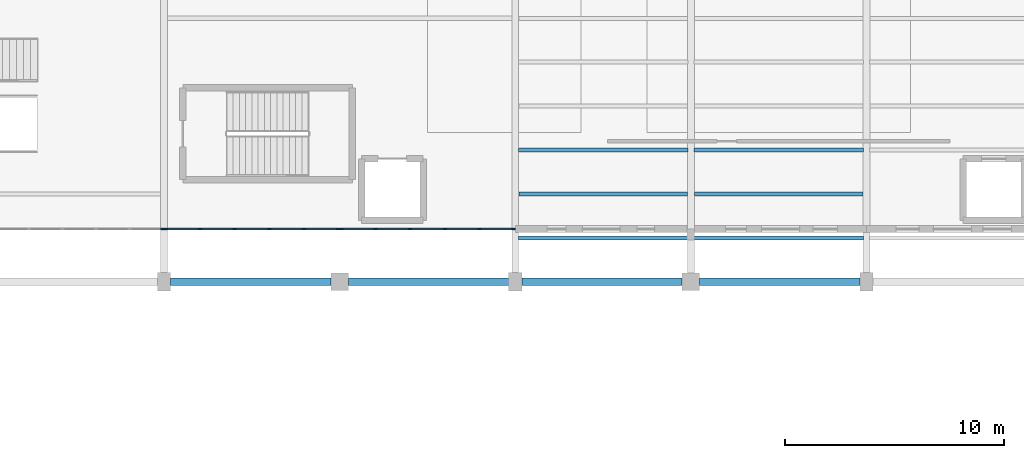
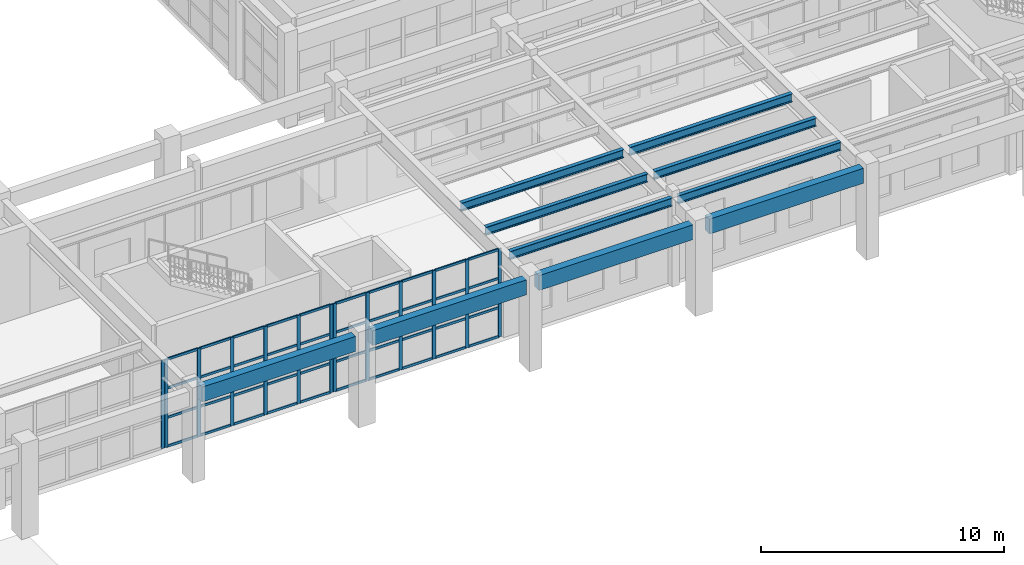
# One storey, part 12 of 59: 53 members, 10 beams, 3 elements without a shape of their own.
"""IFC4 building model written with IfcOpenShell, lengths in metres."""

from ifc_helpers import new_model, si_unit, direction, frame, origin, origin_2d, place, context, subcontext, project, spatial, rectangle, i_section, extrude, material, material_profile, profile_set, type_object, element, aggregate, save


model = new_model("IFC4")

# Units and contexts
model_context = context("Model", 3, precision=1e-05, world=origin(), true_north=direction((0.0, 1.0)))
body_context = subcontext(model_context, "Body", "Model", "MODEL_VIEW")
ifc_project = project(units=[si_unit("LENGTHUNIT", "METRE"), si_unit("AREAUNIT", "SQUARE_METRE"), si_unit("VOLUMEUNIT", "CUBIC_METRE"), si_unit("PLANEANGLEUNIT", "RADIAN"), si_unit("MASSUNIT", "GRAM", prefix="KILO")], contexts=[model_context])

# Site, building, storey
site_placement = place(None, origin())
site = spatial("IfcSite", under=ifc_project, at=site_placement, CompositionType="ELEMENT")
building_placement = place(site_placement, origin())
building = spatial("IfcBuilding", under=site, at=building_placement, Name="Serraluz Foothill Cableway Terminal", CompositionType="ELEMENT")
storey_placement = place(building_placement, frame((0.0, 0.0, 4.800048828125)))
storey = spatial("IfcBuildingStorey", under=building, at=storey_placement, Name="L01", CompositionType="ELEMENT", Elevation=4.800048828125)

# Curtain wall, member
ifc_material_1 = material(Name="Architectural bronze alloy C28000", Category="aluminium")
curtain_wall_type_1 = type_object("IfcCurtainWallType", Name="TYP-CW-740X440", PredefinedType="NOTDEFINED", material=ifc_material_1)
curtain_wall_1_placement = place(storey_placement, origin())
curtain_wall_1 = element("IfcCurtainWall", 1, at=curtain_wall_1_placement, inside=storey, type_object=curtain_wall_type_1, Name="Ribbed Glazed Curtain Wall CW-V1S-L01-56", PredefinedType="NOTDEFINED")
ifc_material_profile_1 = material_profile(ifc_material_1, rectangle(XDim=0.06005859375, YDim=0.159912109375, at=origin_2d()), Name="ALU MULLION 60x160")
ifc_profile_set_1 = profile_set([ifc_material_profile_1], Name="Architectural bronze alloy C28000")
member_type_1 = type_object("IfcMemberType", Name="TYP-CW-MUL-60X160", PredefinedType="MULLION", material=ifc_profile_set_1)
member_1_placement = place(storey_placement, frame((63.91796875, 58.39990234375, 0.0), z_axis=(0.0, 0.0, 1.0), x_axis=(0.0, -1.0, 0.0)))
member_1 = element("IfcMember", 2, at=member_1_placement, type_object=member_type_1, Name="CW-06 mullion 1", PredefinedType="MULLION", context=body_context, shape_type="SweptSolid", body=[
    extrude(rectangle(XDim=0.06005859375, YDim=0.159912109375, at=origin_2d()), origin(), (0.0, 0.0, 1.0), 4.419921875),
])
aggregate(curtain_wall_1, [member_1])

# Curtain wall, members
curtain_wall_type_2 = type_object("IfcCurtainWallType", Name="TYP-CW-740X490", PredefinedType="NOTDEFINED", material=ifc_material_1)
curtain_wall_2_placement = place(storey_placement, origin())
curtain_wall_2 = element("IfcCurtainWall", 3, at=curtain_wall_2_placement, inside=storey, type_object=curtain_wall_type_2, Name="Ribbed Glazed Curtain Wall CW-V1S-L01-64", PredefinedType="NOTDEFINED")
member_2_placement = place(storey_placement, frame((71.91796875, 58.39990234375, 0.0), z_axis=(0.0, 0.0, 1.0), x_axis=(0.0, -1.0, 0.0)))
member_2 = element("IfcMember", 4, at=member_2_placement, type_object=member_type_1, Name="CW-07 mullion 1", PredefinedType="MULLION", context=body_context, shape_type="SweptSolid", body=[
    extrude(rectangle(XDim=0.06005859375, YDim=0.159912109375, at=origin_2d()), origin(), (0.0, 0.0, 1.0), 4.419921875),
])
member_3_placement = place(storey_placement, frame((70.368896484375, 58.39990234375, 0.0), z_axis=(0.0, 0.0, 1.0), x_axis=(0.0, -1.0, 0.0)))
member_3 = element("IfcMember", 5, at=member_3_placement, type_object=member_type_1, Name="CW-07 mullion 2", PredefinedType="MULLION", context=body_context, shape_type="SweptSolid", body=[
    extrude(rectangle(XDim=0.06005859375, YDim=0.159912109375, at=origin_2d()), origin(), (0.0, 0.0, 1.0), 4.419921875),
])
member_4_placement = place(storey_placement, frame((68.78955078125, 58.39990234375, 0.0), z_axis=(0.0, 0.0, 1.0), x_axis=(0.0, -1.0, 0.0)))
member_4 = element("IfcMember", 6, at=member_4_placement, type_object=member_type_1, Name="CW-07 mullion 3", PredefinedType="MULLION", context=body_context, shape_type="SweptSolid", body=[
    extrude(rectangle(XDim=0.06005859375, YDim=0.159912109375, at=origin_2d()), origin(), (0.0, 0.0, 1.0), 4.419921875),
])
member_5_placement = place(storey_placement, frame((67.21044921875, 58.39990234375, 0.0), z_axis=(0.0, 0.0, 1.0), x_axis=(0.0, -1.0, 0.0)))
member_5 = element("IfcMember", 7, at=member_5_placement, type_object=member_type_1, Name="CW-07 mullion 4", PredefinedType="MULLION", context=body_context, shape_type="SweptSolid", body=[
    extrude(rectangle(XDim=0.06005859375, YDim=0.159912109375, at=origin_2d()), origin(), (0.0, 0.0, 1.0), 4.419921875),
])
member_6_placement = place(storey_placement, frame((65.631103515625, 58.39990234375, 0.0), z_axis=(0.0, 0.0, 1.0), x_axis=(0.0, -1.0, 0.0)))
member_6 = element("IfcMember", 8, at=member_6_placement, type_object=member_type_1, Name="CW-07 mullion 5", PredefinedType="MULLION", context=body_context, shape_type="SweptSolid", body=[
    extrude(rectangle(XDim=0.06005859375, YDim=0.159912109375, at=origin_2d()), origin(), (0.0, 0.0, 1.0), 4.419921875),
])
member_7_placement = place(storey_placement, frame((64.08203125, 58.39990234375, 0.0), z_axis=(0.0, 0.0, 1.0), x_axis=(0.0, -1.0, 0.0)))
member_7 = element("IfcMember", 9, at=member_7_placement, type_object=member_type_1, Name="CW-07 mullion 6", PredefinedType="MULLION", context=body_context, shape_type="SweptSolid", body=[
    extrude(rectangle(XDim=0.06005859375, YDim=0.159912109375, at=origin_2d()), origin(), (0.0, 0.0, 1.0), 4.419921875),
])

curtain_wall_type_3 = type_object("IfcCurtainWallType", Name="TYP-CW-520X440", PredefinedType="NOTDEFINED", material=ifc_material_1)
curtain_wall_3_placement = place(storey_placement, origin())
curtain_wall_3 = element("IfcCurtainWall", 10, at=curtain_wall_3_placement, inside=storey, type_object=curtain_wall_type_3, Name="Ribbed Glazed Curtain Wall CW-V1S-L01-72", PredefinedType="NOTDEFINED")
member_8_placement = place(storey_placement, frame((79.91796875, 58.39990234375, 0.0), z_axis=(0.0, 0.0, 1.0), x_axis=(0.0, -1.0, 0.0)))
member_8 = element("IfcMember", 11, at=member_8_placement, type_object=member_type_1, Name="CW-08 mullion 1", PredefinedType="MULLION", context=body_context, shape_type="SweptSolid", body=[
    extrude(rectangle(XDim=0.06005859375, YDim=0.159912109375, at=origin_2d()), origin(), (0.0, 0.0, 1.0), 4.419921875),
])
member_9_placement = place(storey_placement, frame((78.368896484375, 58.39990234375, 0.0), z_axis=(0.0, 0.0, 1.0), x_axis=(0.0, -1.0, 0.0)))
member_9 = element("IfcMember", 12, at=member_9_placement, type_object=member_type_1, Name="CW-08 mullion 2", PredefinedType="MULLION", context=body_context, shape_type="SweptSolid", body=[
    extrude(rectangle(XDim=0.06005859375, YDim=0.159912109375, at=origin_2d()), origin(), (0.0, 0.0, 1.0), 4.419921875),
])
member_10_placement = place(storey_placement, frame((76.78955078125, 58.39990234375, 0.0), z_axis=(0.0, 0.0, 1.0), x_axis=(0.0, -1.0, 0.0)))
member_10 = element("IfcMember", 13, at=member_10_placement, type_object=member_type_1, Name="CW-08 mullion 3", PredefinedType="MULLION", context=body_context, shape_type="SweptSolid", body=[
    extrude(rectangle(XDim=0.06005859375, YDim=0.159912109375, at=origin_2d()), origin(), (0.0, 0.0, 1.0), 4.419921875),
])
member_11_placement = place(storey_placement, frame((75.21044921875, 58.39990234375, 0.0), z_axis=(0.0, 0.0, 1.0), x_axis=(0.0, -1.0, 0.0)))
member_11 = element("IfcMember", 14, at=member_11_placement, type_object=member_type_1, Name="CW-08 mullion 4", PredefinedType="MULLION", context=body_context, shape_type="SweptSolid", body=[
    extrude(rectangle(XDim=0.06005859375, YDim=0.159912109375, at=origin_2d()), origin(), (0.0, 0.0, 1.0), 4.419921875),
])
member_12_placement = place(storey_placement, frame((73.631103515625, 58.39990234375, 0.0), z_axis=(0.0, 0.0, 1.0), x_axis=(0.0, -1.0, 0.0)))
member_12 = element("IfcMember", 15, at=member_12_placement, type_object=member_type_1, Name="CW-08 mullion 5", PredefinedType="MULLION", context=body_context, shape_type="SweptSolid", body=[
    extrude(rectangle(XDim=0.06005859375, YDim=0.159912109375, at=origin_2d()), origin(), (0.0, 0.0, 1.0), 4.419921875),
])
member_13_placement = place(storey_placement, frame((72.08203125, 58.39990234375, 0.0), z_axis=(0.0, 0.0, 1.0), x_axis=(0.0, -1.0, 0.0)))
member_13 = element("IfcMember", 16, at=member_13_placement, type_object=member_type_1, Name="CW-08 mullion 6", PredefinedType="MULLION", context=body_context, shape_type="SweptSolid", body=[
    extrude(rectangle(XDim=0.06005859375, YDim=0.159912109375, at=origin_2d()), origin(), (0.0, 0.0, 1.0), 4.419921875),
])

# Member
ifc_material_profile_2 = material_profile(ifc_material_1, rectangle(XDim=0.06005859375, YDim=0.1201171875, at=origin_2d()), Name="ALU TRANSOM 60x120")
ifc_profile_set_2 = profile_set([ifc_material_profile_2], Name="Architectural bronze alloy C28000")
member_type_2 = type_object("IfcMemberType", Name="TYP-CW-TRN-60X120", PredefinedType="USERDEFINED", material=ifc_profile_set_2)
member_14_placement = place(storey_placement, frame((71.887939453125, 58.39990234375, 0.030029296875), z_axis=(-1.0, 0.0, 0.0), x_axis=(0.0, -1.0, 0.0)))
member_14 = element("IfcMember", 17, at=member_14_placement, type_object=member_type_2, Name="CW-07 transom 1.1", ObjectType="TRANSOM", PredefinedType="USERDEFINED", context=body_context, shape_type="SweptSolid", body=[
    extrude(rectangle(XDim=0.06005859375, YDim=0.1201171875, at=origin_2d()), origin(), (0.0, 0.0, 1.0), 1.4892578125),
])

member_15_placement = place(storey_placement, frame((71.887939453125, 58.39990234375, 1.47314453125), z_axis=(-1.0, 0.0, 0.0), x_axis=(0.0, -1.0, 0.0)))
member_15 = element("IfcMember", 18, at=member_15_placement, type_object=member_type_2, Name="CW-07 transom 1.2", ObjectType="TRANSOM", PredefinedType="USERDEFINED", context=body_context, shape_type="SweptSolid", body=[
    extrude(rectangle(XDim=0.06005859375, YDim=0.1201171875, at=origin_2d()), origin(), (0.0, 0.0, 1.0), 1.4892578125),
])

member_16_placement = place(storey_placement, frame((71.887939453125, 58.39990234375, 2.946533203125), z_axis=(-1.0, 0.0, 0.0), x_axis=(0.0, -1.0, 0.0)))
member_16 = element("IfcMember", 19, at=member_16_placement, type_object=member_type_2, Name="CW-07 transom 1.3", ObjectType="TRANSOM", PredefinedType="USERDEFINED", context=body_context, shape_type="SweptSolid", body=[
    extrude(rectangle(XDim=0.06005859375, YDim=0.1201171875, at=origin_2d()), origin(), (0.0, 0.0, 1.0), 1.4892578125),
])

member_17_placement = place(storey_placement, frame((71.887939453125, 58.39990234375, 4.389892578125), z_axis=(-1.0, 0.0, 0.0), x_axis=(0.0, -1.0, 0.0)))
member_17 = element("IfcMember", 20, at=member_17_placement, type_object=member_type_2, Name="CW-07 transom 1.4", ObjectType="TRANSOM", PredefinedType="USERDEFINED", context=body_context, shape_type="SweptSolid", body=[
    extrude(rectangle(XDim=0.06005859375, YDim=0.1201171875, at=origin_2d()), origin(), (0.0, 0.0, 1.0), 1.4892578125),
])

member_18_placement = place(storey_placement, frame((70.3388671875, 58.39990234375, 0.030029296875), z_axis=(-1.0, 0.0, 0.0), x_axis=(0.0, -1.0, 0.0)))
member_18 = element("IfcMember", 21, at=member_18_placement, type_object=member_type_2, Name="CW-07 transom 2.1", ObjectType="TRANSOM", PredefinedType="USERDEFINED", context=body_context, shape_type="SweptSolid", body=[
    extrude(rectangle(XDim=0.06005859375, YDim=0.1201171875, at=origin_2d()), origin(), (0.0, 0.0, 1.0), 1.519287109375),
])

member_19_placement = place(storey_placement, frame((70.3388671875, 58.39990234375, 1.47314453125), z_axis=(-1.0, 0.0, 0.0), x_axis=(0.0, -1.0, 0.0)))
member_19 = element("IfcMember", 22, at=member_19_placement, type_object=member_type_2, Name="CW-07 transom 2.2", ObjectType="TRANSOM", PredefinedType="USERDEFINED", context=body_context, shape_type="SweptSolid", body=[
    extrude(rectangle(XDim=0.06005859375, YDim=0.1201171875, at=origin_2d()), origin(), (0.0, 0.0, 1.0), 1.519287109375),
])

member_20_placement = place(storey_placement, frame((70.3388671875, 58.39990234375, 2.946533203125), z_axis=(-1.0, 0.0, 0.0), x_axis=(0.0, -1.0, 0.0)))
member_20 = element("IfcMember", 23, at=member_20_placement, type_object=member_type_2, Name="CW-07 transom 2.3", ObjectType="TRANSOM", PredefinedType="USERDEFINED", context=body_context, shape_type="SweptSolid", body=[
    extrude(rectangle(XDim=0.06005859375, YDim=0.1201171875, at=origin_2d()), origin(), (0.0, 0.0, 1.0), 1.519287109375),
])

member_21_placement = place(storey_placement, frame((70.3388671875, 58.39990234375, 4.389892578125), z_axis=(-1.0, 0.0, 0.0), x_axis=(0.0, -1.0, 0.0)))
member_21 = element("IfcMember", 24, at=member_21_placement, type_object=member_type_2, Name="CW-07 transom 2.4", ObjectType="TRANSOM", PredefinedType="USERDEFINED", context=body_context, shape_type="SweptSolid", body=[
    extrude(rectangle(XDim=0.06005859375, YDim=0.1201171875, at=origin_2d()), origin(), (0.0, 0.0, 1.0), 1.519287109375),
])

member_22_placement = place(storey_placement, frame((68.759521484375, 58.39990234375, 0.030029296875), z_axis=(-1.0, 0.0, 0.0), x_axis=(0.0, -1.0, 0.0)))
member_22 = element("IfcMember", 25, at=member_22_placement, type_object=member_type_2, Name="CW-07 transom 3.1", ObjectType="TRANSOM", PredefinedType="USERDEFINED", context=body_context, shape_type="SweptSolid", body=[
    extrude(rectangle(XDim=0.06005859375, YDim=0.1201171875, at=origin_2d()), origin(), (0.0, 0.0, 1.0), 1.51904296875),
])

member_23_placement = place(storey_placement, frame((68.759521484375, 58.39990234375, 1.47314453125), z_axis=(-1.0, 0.0, 0.0), x_axis=(0.0, -1.0, 0.0)))
member_23 = element("IfcMember", 26, at=member_23_placement, type_object=member_type_2, Name="CW-07 transom 3.2", ObjectType="TRANSOM", PredefinedType="USERDEFINED", context=body_context, shape_type="SweptSolid", body=[
    extrude(rectangle(XDim=0.06005859375, YDim=0.1201171875, at=origin_2d()), origin(), (0.0, 0.0, 1.0), 1.51904296875),
])

member_24_placement = place(storey_placement, frame((68.759521484375, 58.39990234375, 2.946533203125), z_axis=(-1.0, 0.0, 0.0), x_axis=(0.0, -1.0, 0.0)))
member_24 = element("IfcMember", 27, at=member_24_placement, type_object=member_type_2, Name="CW-07 transom 3.3", ObjectType="TRANSOM", PredefinedType="USERDEFINED", context=body_context, shape_type="SweptSolid", body=[
    extrude(rectangle(XDim=0.06005859375, YDim=0.1201171875, at=origin_2d()), origin(), (0.0, 0.0, 1.0), 1.51904296875),
])

member_25_placement = place(storey_placement, frame((68.759521484375, 58.39990234375, 4.389892578125), z_axis=(-1.0, 0.0, 0.0), x_axis=(0.0, -1.0, 0.0)))
member_25 = element("IfcMember", 28, at=member_25_placement, type_object=member_type_2, Name="CW-07 transom 3.4", ObjectType="TRANSOM", PredefinedType="USERDEFINED", context=body_context, shape_type="SweptSolid", body=[
    extrude(rectangle(XDim=0.06005859375, YDim=0.1201171875, at=origin_2d()), origin(), (0.0, 0.0, 1.0), 1.51904296875),
])

member_26_placement = place(storey_placement, frame((67.180419921875, 58.39990234375, 0.030029296875), z_axis=(-1.0, 0.0, 0.0), x_axis=(0.0, -1.0, 0.0)))
member_26 = element("IfcMember", 29, at=member_26_placement, type_object=member_type_2, Name="CW-07 transom 4.1", ObjectType="TRANSOM", PredefinedType="USERDEFINED", context=body_context, shape_type="SweptSolid", body=[
    extrude(rectangle(XDim=0.06005859375, YDim=0.1201171875, at=origin_2d()), origin(), (0.0, 0.0, 1.0), 1.519287109375),
])

member_27_placement = place(storey_placement, frame((67.180419921875, 58.39990234375, 1.47314453125), z_axis=(-1.0, 0.0, 0.0), x_axis=(0.0, -1.0, 0.0)))
member_27 = element("IfcMember", 30, at=member_27_placement, type_object=member_type_2, Name="CW-07 transom 4.2", ObjectType="TRANSOM", PredefinedType="USERDEFINED", context=body_context, shape_type="SweptSolid", body=[
    extrude(rectangle(XDim=0.06005859375, YDim=0.1201171875, at=origin_2d()), origin(), (0.0, 0.0, 1.0), 1.519287109375),
])

member_28_placement = place(storey_placement, frame((67.180419921875, 58.39990234375, 2.946533203125), z_axis=(-1.0, 0.0, 0.0), x_axis=(0.0, -1.0, 0.0)))
member_28 = element("IfcMember", 31, at=member_28_placement, type_object=member_type_2, Name="CW-07 transom 4.3", ObjectType="TRANSOM", PredefinedType="USERDEFINED", context=body_context, shape_type="SweptSolid", body=[
    extrude(rectangle(XDim=0.06005859375, YDim=0.1201171875, at=origin_2d()), origin(), (0.0, 0.0, 1.0), 1.519287109375),
])

member_29_placement = place(storey_placement, frame((67.180419921875, 58.39990234375, 4.389892578125), z_axis=(-1.0, 0.0, 0.0), x_axis=(0.0, -1.0, 0.0)))
member_29 = element("IfcMember", 32, at=member_29_placement, type_object=member_type_2, Name="CW-07 transom 4.4", ObjectType="TRANSOM", PredefinedType="USERDEFINED", context=body_context, shape_type="SweptSolid", body=[
    extrude(rectangle(XDim=0.06005859375, YDim=0.1201171875, at=origin_2d()), origin(), (0.0, 0.0, 1.0), 1.519287109375),
])

member_30_placement = place(storey_placement, frame((65.601318359375, 58.39990234375, 0.030029296875), z_axis=(-1.0, 0.0, 0.0), x_axis=(0.0, -1.0, 0.0)))
member_30 = element("IfcMember", 33, at=member_30_placement, type_object=member_type_2, Name="CW-07 transom 5.1", ObjectType="TRANSOM", PredefinedType="USERDEFINED", context=body_context, shape_type="SweptSolid", body=[
    extrude(rectangle(XDim=0.06005859375, YDim=0.1201171875, at=origin_2d()), origin(), (0.0, 0.0, 1.0), 1.4892578125),
])

member_31_placement = place(storey_placement, frame((65.601318359375, 58.39990234375, 1.47314453125), z_axis=(-1.0, 0.0, 0.0), x_axis=(0.0, -1.0, 0.0)))
member_31 = element("IfcMember", 34, at=member_31_placement, type_object=member_type_2, Name="CW-07 transom 5.2", ObjectType="TRANSOM", PredefinedType="USERDEFINED", context=body_context, shape_type="SweptSolid", body=[
    extrude(rectangle(XDim=0.06005859375, YDim=0.1201171875, at=origin_2d()), origin(), (0.0, 0.0, 1.0), 1.4892578125),
])

member_32_placement = place(storey_placement, frame((65.601318359375, 58.39990234375, 2.946533203125), z_axis=(-1.0, 0.0, 0.0), x_axis=(0.0, -1.0, 0.0)))
member_32 = element("IfcMember", 35, at=member_32_placement, type_object=member_type_2, Name="CW-07 transom 5.3", ObjectType="TRANSOM", PredefinedType="USERDEFINED", context=body_context, shape_type="SweptSolid", body=[
    extrude(rectangle(XDim=0.06005859375, YDim=0.1201171875, at=origin_2d()), origin(), (0.0, 0.0, 1.0), 1.4892578125),
])

member_33_placement = place(storey_placement, frame((65.601318359375, 58.39990234375, 4.389892578125), z_axis=(-1.0, 0.0, 0.0), x_axis=(0.0, -1.0, 0.0)))
member_33 = element("IfcMember", 36, at=member_33_placement, type_object=member_type_2, Name="CW-07 transom 5.4", ObjectType="TRANSOM", PredefinedType="USERDEFINED", context=body_context, shape_type="SweptSolid", body=[
    extrude(rectangle(XDim=0.06005859375, YDim=0.1201171875, at=origin_2d()), origin(), (0.0, 0.0, 1.0), 1.4892578125),
])

aggregate(curtain_wall_2, [member_2, member_3, member_4, member_5, member_6, member_7, member_14, member_15, member_16, member_17, member_18, member_19, member_20, member_21, member_22, member_23, member_24, member_25, member_26, member_27, member_28, member_29, member_30, member_31, member_32, member_33])

member_34_placement = place(storey_placement, frame((79.887939453125, 58.39990234375, 0.030029296875), z_axis=(-1.0, 0.0, 0.0), x_axis=(0.0, -1.0, 0.0)))
member_34 = element("IfcMember", 37, at=member_34_placement, type_object=member_type_2, Name="CW-08 transom 1.1", ObjectType="TRANSOM", PredefinedType="USERDEFINED", context=body_context, shape_type="SweptSolid", body=[
    extrude(rectangle(XDim=0.06005859375, YDim=0.1201171875, at=origin_2d()), origin(), (0.0, 0.0, 1.0), 1.4892578125),
])

member_35_placement = place(storey_placement, frame((79.887939453125, 58.39990234375, 1.47314453125), z_axis=(-1.0, 0.0, 0.0), x_axis=(0.0, -1.0, 0.0)))
member_35 = element("IfcMember", 38, at=member_35_placement, type_object=member_type_2, Name="CW-08 transom 1.2", ObjectType="TRANSOM", PredefinedType="USERDEFINED", context=body_context, shape_type="SweptSolid", body=[
    extrude(rectangle(XDim=0.06005859375, YDim=0.1201171875, at=origin_2d()), origin(), (0.0, 0.0, 1.0), 1.4892578125),
])

member_36_placement = place(storey_placement, frame((79.887939453125, 58.39990234375, 2.946533203125), z_axis=(-1.0, 0.0, 0.0), x_axis=(0.0, -1.0, 0.0)))
member_36 = element("IfcMember", 39, at=member_36_placement, type_object=member_type_2, Name="CW-08 transom 1.3", ObjectType="TRANSOM", PredefinedType="USERDEFINED", context=body_context, shape_type="SweptSolid", body=[
    extrude(rectangle(XDim=0.06005859375, YDim=0.1201171875, at=origin_2d()), origin(), (0.0, 0.0, 1.0), 1.4892578125),
])

member_37_placement = place(storey_placement, frame((79.887939453125, 58.39990234375, 4.389892578125), z_axis=(-1.0, 0.0, 0.0), x_axis=(0.0, -1.0, 0.0)))
member_37 = element("IfcMember", 40, at=member_37_placement, type_object=member_type_2, Name="CW-08 transom 1.4", ObjectType="TRANSOM", PredefinedType="USERDEFINED", context=body_context, shape_type="SweptSolid", body=[
    extrude(rectangle(XDim=0.06005859375, YDim=0.1201171875, at=origin_2d()), origin(), (0.0, 0.0, 1.0), 1.4892578125),
])

member_38_placement = place(storey_placement, frame((78.3388671875, 58.39990234375, 0.030029296875), z_axis=(-1.0, 0.0, 0.0), x_axis=(0.0, -1.0, 0.0)))
member_38 = element("IfcMember", 41, at=member_38_placement, type_object=member_type_2, Name="CW-08 transom 2.1", ObjectType="TRANSOM", PredefinedType="USERDEFINED", context=body_context, shape_type="SweptSolid", body=[
    extrude(rectangle(XDim=0.06005859375, YDim=0.1201171875, at=origin_2d()), origin(), (0.0, 0.0, 1.0), 1.519287109375),
])

member_39_placement = place(storey_placement, frame((78.3388671875, 58.39990234375, 1.47314453125), z_axis=(-1.0, 0.0, 0.0), x_axis=(0.0, -1.0, 0.0)))
member_39 = element("IfcMember", 42, at=member_39_placement, type_object=member_type_2, Name="CW-08 transom 2.2", ObjectType="TRANSOM", PredefinedType="USERDEFINED", context=body_context, shape_type="SweptSolid", body=[
    extrude(rectangle(XDim=0.06005859375, YDim=0.1201171875, at=origin_2d()), origin(), (0.0, 0.0, 1.0), 1.519287109375),
])

member_40_placement = place(storey_placement, frame((78.3388671875, 58.39990234375, 2.946533203125), z_axis=(-1.0, 0.0, 0.0), x_axis=(0.0, -1.0, 0.0)))
member_40 = element("IfcMember", 43, at=member_40_placement, type_object=member_type_2, Name="CW-08 transom 2.3", ObjectType="TRANSOM", PredefinedType="USERDEFINED", context=body_context, shape_type="SweptSolid", body=[
    extrude(rectangle(XDim=0.06005859375, YDim=0.1201171875, at=origin_2d()), origin(), (0.0, 0.0, 1.0), 1.519287109375),
])

member_41_placement = place(storey_placement, frame((78.3388671875, 58.39990234375, 4.389892578125), z_axis=(-1.0, 0.0, 0.0), x_axis=(0.0, -1.0, 0.0)))
member_41 = element("IfcMember", 44, at=member_41_placement, type_object=member_type_2, Name="CW-08 transom 2.4", ObjectType="TRANSOM", PredefinedType="USERDEFINED", context=body_context, shape_type="SweptSolid", body=[
    extrude(rectangle(XDim=0.06005859375, YDim=0.1201171875, at=origin_2d()), origin(), (0.0, 0.0, 1.0), 1.519287109375),
])

member_42_placement = place(storey_placement, frame((76.759521484375, 58.39990234375, 0.030029296875), z_axis=(-1.0, 0.0, 0.0), x_axis=(0.0, -1.0, 0.0)))
member_42 = element("IfcMember", 45, at=member_42_placement, type_object=member_type_2, Name="CW-08 transom 3.1", ObjectType="TRANSOM", PredefinedType="USERDEFINED", context=body_context, shape_type="SweptSolid", body=[
    extrude(rectangle(XDim=0.06005859375, YDim=0.1201171875, at=origin_2d()), origin(), (0.0, 0.0, 1.0), 1.51904296875),
])

member_43_placement = place(storey_placement, frame((76.759521484375, 58.39990234375, 1.47314453125), z_axis=(-1.0, 0.0, 0.0), x_axis=(0.0, -1.0, 0.0)))
member_43 = element("IfcMember", 46, at=member_43_placement, type_object=member_type_2, Name="CW-08 transom 3.2", ObjectType="TRANSOM", PredefinedType="USERDEFINED", context=body_context, shape_type="SweptSolid", body=[
    extrude(rectangle(XDim=0.06005859375, YDim=0.1201171875, at=origin_2d()), origin(), (0.0, 0.0, 1.0), 1.51904296875),
])

member_44_placement = place(storey_placement, frame((76.759521484375, 58.39990234375, 2.946533203125), z_axis=(-1.0, 0.0, 0.0), x_axis=(0.0, -1.0, 0.0)))
member_44 = element("IfcMember", 47, at=member_44_placement, type_object=member_type_2, Name="CW-08 transom 3.3", ObjectType="TRANSOM", PredefinedType="USERDEFINED", context=body_context, shape_type="SweptSolid", body=[
    extrude(rectangle(XDim=0.06005859375, YDim=0.1201171875, at=origin_2d()), origin(), (0.0, 0.0, 1.0), 1.51904296875),
])

member_45_placement = place(storey_placement, frame((76.759521484375, 58.39990234375, 4.389892578125), z_axis=(-1.0, 0.0, 0.0), x_axis=(0.0, -1.0, 0.0)))
member_45 = element("IfcMember", 48, at=member_45_placement, type_object=member_type_2, Name="CW-08 transom 3.4", ObjectType="TRANSOM", PredefinedType="USERDEFINED", context=body_context, shape_type="SweptSolid", body=[
    extrude(rectangle(XDim=0.06005859375, YDim=0.1201171875, at=origin_2d()), origin(), (0.0, 0.0, 1.0), 1.51904296875),
])

member_46_placement = place(storey_placement, frame((75.180419921875, 58.39990234375, 0.030029296875), z_axis=(-1.0, 0.0, 0.0), x_axis=(0.0, -1.0, 0.0)))
member_46 = element("IfcMember", 49, at=member_46_placement, type_object=member_type_2, Name="CW-08 transom 4.1", ObjectType="TRANSOM", PredefinedType="USERDEFINED", context=body_context, shape_type="SweptSolid", body=[
    extrude(rectangle(XDim=0.06005859375, YDim=0.1201171875, at=origin_2d()), origin(), (0.0, 0.0, 1.0), 1.519287109375),
])

member_47_placement = place(storey_placement, frame((75.180419921875, 58.39990234375, 1.47314453125), z_axis=(-1.0, 0.0, 0.0), x_axis=(0.0, -1.0, 0.0)))
member_47 = element("IfcMember", 50, at=member_47_placement, type_object=member_type_2, Name="CW-08 transom 4.2", ObjectType="TRANSOM", PredefinedType="USERDEFINED", context=body_context, shape_type="SweptSolid", body=[
    extrude(rectangle(XDim=0.06005859375, YDim=0.1201171875, at=origin_2d()), origin(), (0.0, 0.0, 1.0), 1.519287109375),
])

member_48_placement = place(storey_placement, frame((75.180419921875, 58.39990234375, 2.946533203125), z_axis=(-1.0, 0.0, 0.0), x_axis=(0.0, -1.0, 0.0)))
member_48 = element("IfcMember", 51, at=member_48_placement, type_object=member_type_2, Name="CW-08 transom 4.3", ObjectType="TRANSOM", PredefinedType="USERDEFINED", context=body_context, shape_type="SweptSolid", body=[
    extrude(rectangle(XDim=0.06005859375, YDim=0.1201171875, at=origin_2d()), origin(), (0.0, 0.0, 1.0), 1.519287109375),
])

member_49_placement = place(storey_placement, frame((75.180419921875, 58.39990234375, 4.389892578125), z_axis=(-1.0, 0.0, 0.0), x_axis=(0.0, -1.0, 0.0)))
member_49 = element("IfcMember", 52, at=member_49_placement, type_object=member_type_2, Name="CW-08 transom 4.4", ObjectType="TRANSOM", PredefinedType="USERDEFINED", context=body_context, shape_type="SweptSolid", body=[
    extrude(rectangle(XDim=0.06005859375, YDim=0.1201171875, at=origin_2d()), origin(), (0.0, 0.0, 1.0), 1.519287109375),
])

member_50_placement = place(storey_placement, frame((73.601318359375, 58.39990234375, 0.030029296875), z_axis=(-1.0, 0.0, 0.0), x_axis=(0.0, -1.0, 0.0)))
member_50 = element("IfcMember", 53, at=member_50_placement, type_object=member_type_2, Name="CW-08 transom 5.1", ObjectType="TRANSOM", PredefinedType="USERDEFINED", context=body_context, shape_type="SweptSolid", body=[
    extrude(rectangle(XDim=0.06005859375, YDim=0.1201171875, at=origin_2d()), origin(), (0.0, 0.0, 1.0), 1.4892578125),
])

member_51_placement = place(storey_placement, frame((73.601318359375, 58.39990234375, 1.47314453125), z_axis=(-1.0, 0.0, 0.0), x_axis=(0.0, -1.0, 0.0)))
member_51 = element("IfcMember", 54, at=member_51_placement, type_object=member_type_2, Name="CW-08 transom 5.2", ObjectType="TRANSOM", PredefinedType="USERDEFINED", context=body_context, shape_type="SweptSolid", body=[
    extrude(rectangle(XDim=0.06005859375, YDim=0.1201171875, at=origin_2d()), origin(), (0.0, 0.0, 1.0), 1.4892578125),
])

member_52_placement = place(storey_placement, frame((73.601318359375, 58.39990234375, 2.946533203125), z_axis=(-1.0, 0.0, 0.0), x_axis=(0.0, -1.0, 0.0)))
member_52 = element("IfcMember", 55, at=member_52_placement, type_object=member_type_2, Name="CW-08 transom 5.3", ObjectType="TRANSOM", PredefinedType="USERDEFINED", context=body_context, shape_type="SweptSolid", body=[
    extrude(rectangle(XDim=0.06005859375, YDim=0.1201171875, at=origin_2d()), origin(), (0.0, 0.0, 1.0), 1.4892578125),
])

member_53_placement = place(storey_placement, frame((73.601318359375, 58.39990234375, 4.389892578125), z_axis=(-1.0, 0.0, 0.0), x_axis=(0.0, -1.0, 0.0)))
member_53 = element("IfcMember", 56, at=member_53_placement, type_object=member_type_2, Name="CW-08 transom 5.4", ObjectType="TRANSOM", PredefinedType="USERDEFINED", context=body_context, shape_type="SweptSolid", body=[
    extrude(rectangle(XDim=0.06005859375, YDim=0.1201171875, at=origin_2d()), origin(), (0.0, 0.0, 1.0), 1.4892578125),
])

aggregate(curtain_wall_3, [member_8, member_9, member_10, member_11, member_12, member_13, member_34, member_35, member_36, member_37, member_38, member_39, member_40, member_41, member_42, member_43, member_44, member_45, member_46, member_47, member_48, member_49, member_50, member_51, member_52, member_53])

# Beams
ifc_material_2 = material(Name="Steel ASTM A992 Grade 50", Category="steel")
ifc_material_profile_3 = material_profile(ifc_material_2, i_section(OverallWidth=0.180908203125, OverallDepth=0.4169921875, WebThickness=0.010986328125, FlangeThickness=0.018310546875, FilletRadius=0.013916015625, at=origin_2d()), Name="W16X57")
ifc_profile_set_3 = profile_set([ifc_material_profile_3], Name="Steel ASTM A992 Grade 50")
beam_type_1 = type_object("IfcBeamType", Name="TYP-JS-W16X57", PredefinedType="JOIST", material=ifc_profile_set_3)
for number, where, z_axis, x_axis, name in (
    (57, (80.158935546875, 60.0, 4.266357421875), (1.0, 0.0, 0.0), (0.0, 1.0, 0.0), "Secondary Floor Joist JS-L01-0085"),
    (58, (88.158935546875, 60.0, 4.266357421875), (1.0, 0.0, 0.0), (0.0, 1.0, 0.0), "Secondary Floor Joist JS-L01-0090"),
):
    element("IfcBeam", number, at=place(storey_placement, frame(where, z_axis=z_axis, x_axis=x_axis)), inside=storey, type_object=beam_type_1, Name=name, PredefinedType="JOIST", context=body_context, shape_type="SweptSolid", body=[
        extrude(i_section(OverallWidth=0.180908203125, OverallDepth=0.4169921875, WebThickness=0.010986328125, FlangeThickness=0.018310546875, FilletRadius=0.013916015625, at=origin_2d()), origin(), (0.0, 0.0, 1.0), 7.68212890625),
    ])
for number, where, z_axis, x_axis, name in (
    (59, (80.139892578125, 58.0, 4.266357421875), (1.0, 0.0, 0.0), (0.0, 1.0, 0.0), "Composite Deck Joist L01-035"),
    (60, (80.139892578125, 62.0, 4.266357421875), (1.0, 0.0, 0.0), (0.0, 1.0, 0.0), "Composite Deck Joist L01-036"),
    (61, (88.139892578125, 58.0, 4.266357421875), (1.0, 0.0, 0.0), (0.0, 1.0, 0.0), "Composite Deck Joist L01-039"),
    (62, (88.139892578125, 62.0, 4.266357421875), (1.0, 0.0, 0.0), (0.0, 1.0, 0.0), "Composite Deck Joist L01-040"),
):
    element("IfcBeam", number, at=place(storey_placement, frame(where, z_axis=z_axis, x_axis=x_axis)), inside=storey, type_object=beam_type_1, Name=name, PredefinedType="JOIST", context=body_context, shape_type="SweptSolid", body=[
        extrude(i_section(OverallWidth=0.180908203125, OverallDepth=0.4169921875, WebThickness=0.010986328125, FlangeThickness=0.018310546875, FilletRadius=0.013916015625, at=origin_2d()), origin(), (0.0, 0.0, 1.0), 7.72021484375),
    ])
ifc_material_3 = material(Name="Precast concrete C40/50", Category="concrete")
ifc_material_profile_4 = material_profile(ifc_material_3, rectangle(XDim=0.35009765625, YDim=0.75, at=origin_2d()), Name="RC SP 350x750")
ifc_profile_set_4 = profile_set([ifc_material_profile_4], Name="Precast concrete C40/50")
beam_type_2 = type_object("IfcBeamType", Name="TYP-SP-RC350X750", PredefinedType="SPANDREL", material=ifc_profile_set_4)
for number, where, z_axis, x_axis, name in (
    (63, (64.2958984375, 56.0, 4.099853515625), (1.0, 0.0, 0.0), (0.0, 1.0, 0.0), "Primary Girder BM-X-L01-0204"),
    (64, (72.39599609375, 56.0, 4.099853515625), (1.0, 0.0, 0.0), (0.0, 1.0, 0.0), "Primary Girder BM-X-L01-0205"),
    (65, (80.2958984375, 56.0, 4.099853515625), (1.0, 0.0, 0.0), (0.0, 1.0, 0.0), "Primary Girder BM-X-L01-0206"),
    (66, (88.39599609375, 56.0, 4.099853515625), (1.0, 0.0, 0.0), (0.0, 1.0, 0.0), "Primary Girder BM-X-L01-0207"),
):
    element("IfcBeam", number, at=place(storey_placement, frame(where, z_axis=z_axis, x_axis=x_axis)), inside=storey, type_object=beam_type_2, Name=name, PredefinedType="SPANDREL", context=body_context, shape_type="SweptSolid", body=[
        extrude(rectangle(XDim=0.35009765625, YDim=0.75, at=origin_2d()), origin(), (0.0, 0.0, 1.0), 7.30810546875),
    ])

save(model, "model.ifc")
